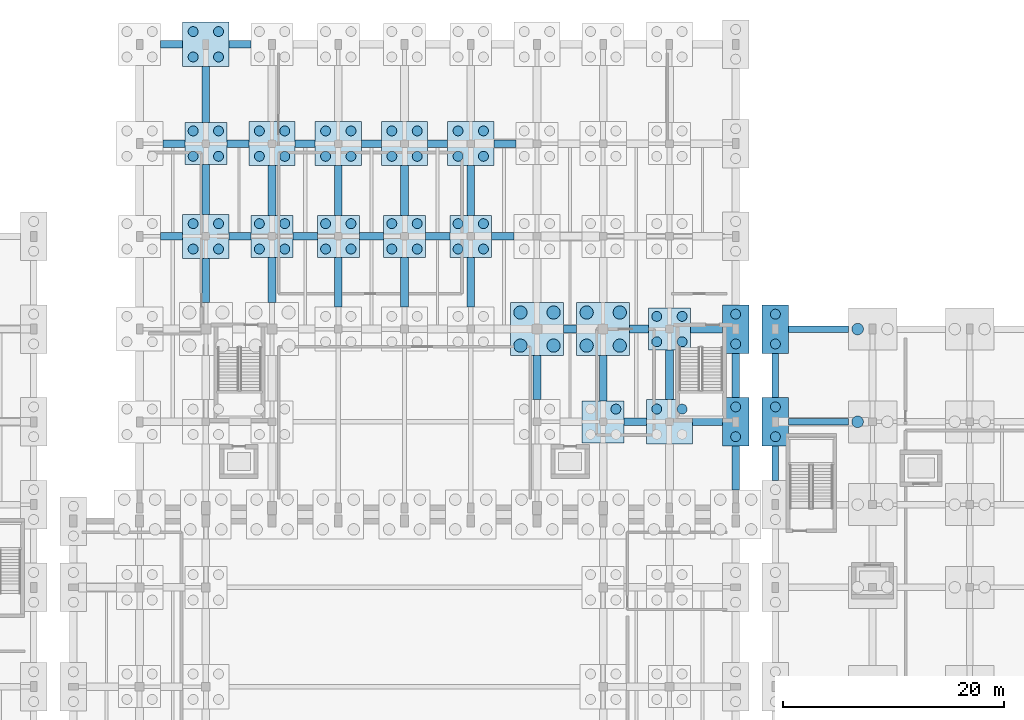
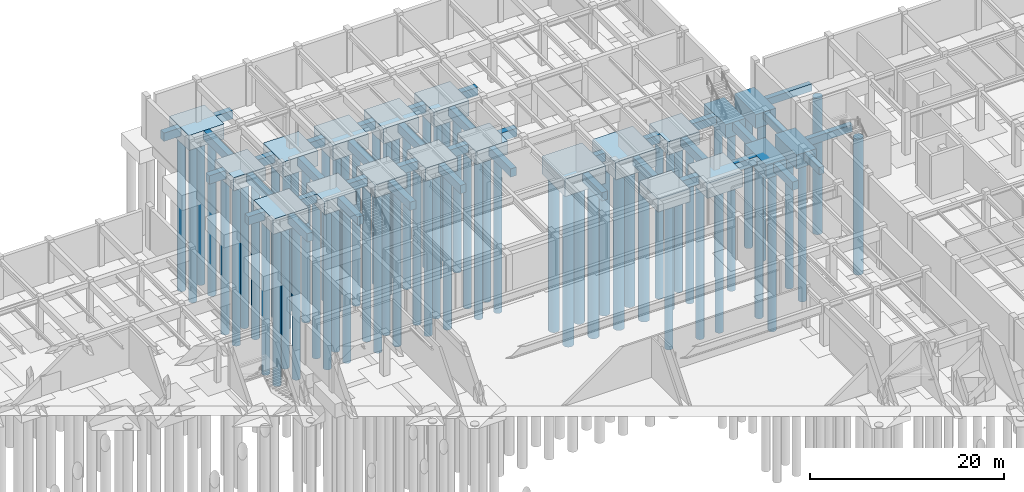
# One storey, part 8 of 69: 69 piles, 59 footings.
"""IFC4 building model written with IfcOpenShell, lengths in metres."""

from ifc_helpers import new_model, si_unit, direction, frame, origin, origin_2d, place, context, subcontext, project, spatial, rectangle, circle, extrude, material, material_profile, profile_set, type_object, element, save


model = new_model("IFC4")

# Units and contexts
model_context = context("Model", 3, precision=1e-05, world=origin(), true_north=direction((0.0, 1.0)))
body_context = subcontext(model_context, "Body", "Model", "MODEL_VIEW")
ifc_project = project(units=[si_unit("LENGTHUNIT", "METRE"), si_unit("AREAUNIT", "SQUARE_METRE"), si_unit("VOLUMEUNIT", "CUBIC_METRE"), si_unit("PLANEANGLEUNIT", "RADIAN"), si_unit("MASSUNIT", "GRAM", prefix="KILO")], contexts=[model_context])

# Site, building, storey
site_placement = place(None, origin())
site = spatial("IfcSite", under=ifc_project, at=site_placement, CompositionType="ELEMENT")
building_placement = place(site_placement, origin())
building = spatial("IfcBuilding", under=site, at=building_placement, Name="Vaelkrest Opera House", CompositionType="ELEMENT")
storey_placement = place(building_placement, frame((0.0, 0.0, -5.39990234375)))
storey = spatial("IfcBuildingStorey", under=building, at=storey_placement, Name="B1", CompositionType="ELEMENT", Elevation=-5.39990234375)

# Footings
ifc_material = material(Name="Concrete C40/50", Category="concrete")
footing_type_1 = type_object("IfcFootingType", Name="FB01", PredefinedType="FOOTING_BEAM", material=ifc_material)
for number, where, z_axis, x_axis, name in (
    (1, (37.5, 25.199951171875, -0.900146484375), (0.0, 0.0, 1.0), (1.0, 0.0, 0.0), "Footing tie beam FT-GB-0327"),
    (2, (37.5, 33.60009765625, -0.900146484375), (0.0, 0.0, 1.0), (1.0, 0.0, 0.0), "Footing tie beam FT-GB-0333"),
):
    element("IfcFooting", number, at=place(storey_placement, frame(where, z_axis=z_axis, x_axis=x_axis)), inside=storey, type_object=footing_type_1, Name=name, PredefinedType="FOOTING_BEAM", context=body_context, shape_type="SweptSolid", body=[
        extrude(rectangle(XDim=5.39990234375, YDim=0.60009765625, at=origin_2d()), origin(), (0.0, 0.0, 1.0), 0.89990234375),
    ])
footing_1_placement = place(storey_placement, frame((33.60009765625, 21.449951171875, -0.900146484375), z_axis=(0.0, 0.0, 1.0), x_axis=(0.0, 1.0, 0.0)))
element("IfcFooting", 3, at=footing_1_placement, inside=storey, type_object=footing_type_1, Name="Footing tie beam FT-GB-0345", PredefinedType="FOOTING_BEAM", context=body_context, shape_type="SweptSolid", body=[
    extrude(rectangle(XDim=3.10009765625, YDim=0.60009765625, at=origin_2d()), origin(), (0.0, 0.0, 1.0), 0.89990234375),
])
footing_2_placement = place(storey_placement, frame((33.60009765625, 29.39990234375, -0.900146484375), z_axis=(0.0, 0.0, 1.0), x_axis=(0.0, 1.0, 0.0)))
element("IfcFooting", 4, at=footing_2_placement, inside=storey, type_object=footing_type_1, Name="Footing tie beam FT-GB-0346", PredefinedType="FOOTING_BEAM", context=body_context, shape_type="SweptSolid", body=[
    extrude(rectangle(XDim=4.0, YDim=0.60009765625, at=origin_2d()), origin(), (0.0, 0.0, 1.0), 0.89990234375),
])
footing_type_2 = type_object("IfcFootingType", Name="FB02", PredefinedType="FOOTING_BEAM", material=ifc_material)
footing_3_placement = place(storey_placement, frame((20.89990234375, 25.199951171875, -1.05029296875), z_axis=(0.0, 0.0, 1.0), x_axis=(1.0, 0.0, 0.0)))
element("IfcFooting", 5, at=footing_3_placement, inside=storey, type_object=footing_type_2, Name="Footing tie beam FT-GB-0107", PredefinedType="FOOTING_BEAM", context=body_context, shape_type="SweptSolid", body=[
    extrude(rectangle(XDim=2.0, YDim=0.699951171875, at=origin_2d()), origin(), (0.0, 0.0, 1.0), 1.050048828125),
])
footing_4_placement = place(storey_placement, frame((27.449951171875, 25.199951171875, -1.05029296875), z_axis=(0.0, 0.0, 1.0), x_axis=(1.0, 0.0, 0.0)))
element("IfcFooting", 6, at=footing_4_placement, inside=storey, type_object=footing_type_2, Name="Footing tie beam FT-GB-0108", PredefinedType="FOOTING_BEAM", context=body_context, shape_type="SweptSolid", body=[
    extrude(rectangle(XDim=2.699951171875, YDim=0.699951171875, at=origin_2d()), origin(), (0.0, 0.0, 1.0), 1.050048828125),
])
footing_5_placement = place(storey_placement, frame((15.0, 33.60009765625, -1.05029296875), z_axis=(0.0, 0.0, 1.0), x_axis=(1.0, 0.0, 0.0)))
element("IfcFooting", 7, at=footing_5_placement, inside=storey, type_object=footing_type_2, Name="Footing tie beam FT-GB-0115", PredefinedType="FOOTING_BEAM", context=body_context, shape_type="SweptSolid", body=[
    extrude(rectangle(XDim=1.199951171875, YDim=0.699951171875, at=origin_2d()), origin(), (0.0, 0.0, 1.0), 1.050048828125),
])
footing_6_placement = place(storey_placement, frame((21.25, 33.60009765625, -1.05029296875), z_axis=(0.0, 0.0, 1.0), x_axis=(1.0, 0.0, 0.0)))
element("IfcFooting", 8, at=footing_6_placement, inside=storey, type_object=footing_type_2, Name="Footing tie beam FT-GB-0116", PredefinedType="FOOTING_BEAM", context=body_context, shape_type="SweptSolid", body=[
    extrude(rectangle(XDim=1.699951171875, YDim=0.699951171875, at=origin_2d()), origin(), (0.0, 0.0, 1.0), 1.050048828125),
])
footing_7_placement = place(storey_placement, frame((27.35009765625, 33.60009765625, -1.05029296875), z_axis=(0.0, 0.0, 1.0), x_axis=(1.0, 0.0, 0.0)))
element("IfcFooting", 9, at=footing_7_placement, inside=storey, type_object=footing_type_2, Name="Footing tie beam FT-GB-0117", PredefinedType="FOOTING_BEAM", context=body_context, shape_type="SweptSolid", body=[
    extrude(rectangle(XDim=2.89990234375, YDim=0.699951171875, at=origin_2d()), origin(), (0.0, 0.0, 1.0), 1.050048828125),
])
for number, where, z_axis, x_axis, name in (
    (10, (-21.10009765625, 42.0, -1.05029296875), (0.0, 0.0, 1.0), (1.0, 0.0, 0.0), "Footing tie beam FT-GB-0118"),
    (11, (-14.89990234375, 42.0, -1.05029296875), (0.0, 0.0, 1.0), (1.0, 0.0, 0.0), "Footing tie beam FT-GB-0119"),
):
    element("IfcFooting", number, at=place(storey_placement, frame(where, z_axis=z_axis, x_axis=x_axis)), inside=storey, type_object=footing_type_2, Name=name, PredefinedType="FOOTING_BEAM", context=body_context, shape_type="SweptSolid", body=[
        extrude(rectangle(XDim=2.0, YDim=0.699951171875, at=origin_2d()), origin(), (0.0, 0.0, 1.0), 1.050048828125),
    ])
for number, where, z_axis, x_axis, name in (
    (12, (-9.0, 42.0, -1.05029296875), (0.0, 0.0, 1.0), (1.0, 0.0, 0.0), "Footing tie beam FT-GB-0120"),
    (13, (-3.0, 42.0, -1.05029296875), (0.0, 0.0, 1.0), (1.0, 0.0, 0.0), "Footing tie beam FT-GB-0121"),
    (14, (3.0, 42.0, -1.05029296875), (0.0, 0.0, 1.0), (1.0, 0.0, 0.0), "Footing tie beam FT-GB-0122"),
):
    element("IfcFooting", number, at=place(storey_placement, frame(where, z_axis=z_axis, x_axis=x_axis)), inside=storey, type_object=footing_type_2, Name=name, PredefinedType="FOOTING_BEAM", context=body_context, shape_type="SweptSolid", body=[
        extrude(rectangle(XDim=2.199951171875, YDim=0.699951171875, at=origin_2d()), origin(), (0.0, 0.0, 1.0), 1.050048828125),
    ])
for number, where, z_axis, x_axis, name in (
    (15, (8.89990234375, 42.0, -1.05029296875), (0.0, 0.0, 1.0), (1.0, 0.0, 0.0), "Footing tie beam FT-GB-0123"),
    (16, (-20.89990234375, 50.39990234375, -1.05029296875), (0.0, 0.0, 1.0), (1.0, 0.0, 0.0), "Footing tie beam FT-GB-0127"),
    (17, (-15.10009765625, 50.39990234375, -1.05029296875), (0.0, 0.0, 1.0), (1.0, 0.0, 0.0), "Footing tie beam FT-GB-0128"),
):
    element("IfcFooting", number, at=place(storey_placement, frame(where, z_axis=z_axis, x_axis=x_axis)), inside=storey, type_object=footing_type_2, Name=name, PredefinedType="FOOTING_BEAM", context=body_context, shape_type="SweptSolid", body=[
        extrude(rectangle(XDim=2.0, YDim=0.699951171875, at=origin_2d()), origin(), (0.0, 0.0, 1.0), 1.050048828125),
    ])
for number, where, z_axis, x_axis, name in (
    (18, (-9.0, 50.39990234375, -1.05029296875), (0.0, 0.0, 1.0), (1.0, 0.0, 0.0), "Footing tie beam FT-GB-0129"),
    (19, (-3.0, 50.39990234375, -1.05029296875), (0.0, 0.0, 1.0), (1.0, 0.0, 0.0), "Footing tie beam FT-GB-0130"),
    (20, (3.0, 50.39990234375, -1.05029296875), (0.0, 0.0, 1.0), (1.0, 0.0, 0.0), "Footing tie beam FT-GB-0131"),
):
    element("IfcFooting", number, at=place(storey_placement, frame(where, z_axis=z_axis, x_axis=x_axis)), inside=storey, type_object=footing_type_2, Name=name, PredefinedType="FOOTING_BEAM", context=body_context, shape_type="SweptSolid", body=[
        extrude(rectangle(XDim=1.800048828125, YDim=0.699951171875, at=origin_2d()), origin(), (0.0, 0.0, 1.0), 1.050048828125),
    ])
for number, where, z_axis, x_axis, name in (
    (21, (9.10009765625, 50.39990234375, -1.05029296875), (0.0, 0.0, 1.0), (1.0, 0.0, 0.0), "Footing tie beam FT-GB-0132"),
    (22, (-21.10009765625, 59.39990234375, -1.05029296875), (0.0, 0.0, 1.0), (1.0, 0.0, 0.0), "Footing tie beam FT-GB-0136"),
    (23, (-14.89990234375, 59.39990234375, -1.05029296875), (0.0, 0.0, 1.0), (1.0, 0.0, 0.0), "Footing tie beam FT-GB-0137"),
):
    element("IfcFooting", number, at=place(storey_placement, frame(where, z_axis=z_axis, x_axis=x_axis)), inside=storey, type_object=footing_type_2, Name=name, PredefinedType="FOOTING_BEAM", context=body_context, shape_type="SweptSolid", body=[
        extrude(rectangle(XDim=2.0, YDim=0.699951171875, at=origin_2d()), origin(), (0.0, 0.0, 1.0), 1.050048828125),
    ])
footing_8_placement = place(storey_placement, frame((-18.0, 38.0, -1.05029296875), z_axis=(0.0, 0.0, 1.0), x_axis=(0.0, 1.0, 0.0)))
element("IfcFooting", 24, at=footing_8_placement, inside=storey, type_object=footing_type_2, Name="Footing tie beam FT-GB-0152", PredefinedType="FOOTING_BEAM", context=body_context, shape_type="SweptSolid", body=[
    extrude(rectangle(XDim=4.0, YDim=0.699951171875, at=origin_2d()), origin(), (0.0, 0.0, 1.0), 1.050048828125),
])
footing_9_placement = place(storey_placement, frame((-18.0, 46.25, -1.05029296875), z_axis=(0.0, 0.0, 1.0), x_axis=(0.0, 1.0, 0.0)))
element("IfcFooting", 25, at=footing_9_placement, inside=storey, type_object=footing_type_2, Name="Footing tie beam FT-GB-0153", PredefinedType="FOOTING_BEAM", context=body_context, shape_type="SweptSolid", body=[
    extrude(rectangle(XDim=4.5, YDim=0.699951171875, at=origin_2d()), origin(), (0.0, 0.0, 1.0), 1.050048828125),
])
footing_10_placement = place(storey_placement, frame((-18.0, 54.85009765625, -1.05029296875), z_axis=(0.0, 0.0, 1.0), x_axis=(0.0, 1.0, 0.0)))
element("IfcFooting", 26, at=footing_10_placement, inside=storey, type_object=footing_type_2, Name="Footing tie beam FT-GB-0154", PredefinedType="FOOTING_BEAM", context=body_context, shape_type="SweptSolid", body=[
    extrude(rectangle(XDim=5.10009765625, YDim=0.699951171875, at=origin_2d()), origin(), (0.0, 0.0, 1.0), 1.050048828125),
])
footing_11_placement = place(storey_placement, frame((-12.0, 38.050048828125, -1.05029296875), z_axis=(0.0, 0.0, 1.0), x_axis=(0.0, 1.0, 0.0)))
element("IfcFooting", 27, at=footing_11_placement, inside=storey, type_object=footing_type_2, Name="Footing tie beam FT-GB-0157", PredefinedType="FOOTING_BEAM", context=body_context, shape_type="SweptSolid", body=[
    extrude(rectangle(XDim=4.10009765625, YDim=0.699951171875, at=origin_2d()), origin(), (0.0, 0.0, 1.0), 1.050048828125),
])
for number, where, z_axis, x_axis, name in (
    (28, (-12.0, 46.14990234375, -1.05029296875), (0.0, 0.0, 1.0), (0.0, 1.0, 0.0), "Footing tie beam FT-GB-0158"),
    (29, (-6.0, 37.85009765625, -1.05029296875), (0.0, 0.0, 1.0), (0.0, 1.0, 0.0), "Footing tie beam FT-GB-0160"),
    (30, (-6.0, 46.14990234375, -1.05029296875), (0.0, 0.0, 1.0), (0.0, 1.0, 0.0), "Footing tie beam FT-GB-0161"),
    (31, (0.0, 37.85009765625, -1.05029296875), (0.0, 0.0, 1.0), (0.0, 1.0, 0.0), "Footing tie beam FT-GB-0163"),
    (32, (0.0, 46.14990234375, -1.05029296875), (0.0, 0.0, 1.0), (0.0, 1.0, 0.0), "Footing tie beam FT-GB-0164"),
    (33, (6.0, 37.85009765625, -1.05029296875), (0.0, 0.0, 1.0), (0.0, 1.0, 0.0), "Footing tie beam FT-GB-0166"),
    (34, (6.0, 46.14990234375, -1.05029296875), (0.0, 0.0, 1.0), (0.0, 1.0, 0.0), "Footing tie beam FT-GB-0167"),
):
    element("IfcFooting", number, at=place(storey_placement, frame(where, z_axis=z_axis, x_axis=x_axis)), inside=storey, type_object=footing_type_2, Name=name, PredefinedType="FOOTING_BEAM", context=body_context, shape_type="SweptSolid", body=[
        extrude(rectangle(XDim=4.5, YDim=0.699951171875, at=origin_2d()), origin(), (0.0, 0.0, 1.0), 1.050048828125),
    ])
footing_12_placement = place(storey_placement, frame((12.0, 29.199951171875, -1.05029296875), z_axis=(0.0, 0.0, 1.0), x_axis=(0.0, 1.0, 0.0)))
element("IfcFooting", 35, at=footing_12_placement, inside=storey, type_object=footing_type_2, Name="Footing tie beam FT-GB-0170", PredefinedType="FOOTING_BEAM", context=body_context, shape_type="SweptSolid", body=[
    extrude(rectangle(XDim=4.0, YDim=0.699951171875, at=origin_2d()), origin(), (0.0, 0.0, 1.0), 1.050048828125),
])
footing_13_placement = place(storey_placement, frame((18.0, 29.14990234375, -1.05029296875), z_axis=(0.0, 0.0, 1.0), x_axis=(0.0, 1.0, 0.0)))
element("IfcFooting", 36, at=footing_13_placement, inside=storey, type_object=footing_type_2, Name="Footing tie beam FT-GB-0175", PredefinedType="FOOTING_BEAM", context=body_context, shape_type="SweptSolid", body=[
    extrude(rectangle(XDim=4.10009765625, YDim=0.699951171875, at=origin_2d()), origin(), (0.0, 0.0, 1.0), 1.050048828125),
])
footing_14_placement = place(storey_placement, frame((24.0, 29.449951171875, -1.05029296875), z_axis=(0.0, 0.0, 1.0), x_axis=(0.0, 1.0, 0.0)))
element("IfcFooting", 37, at=footing_14_placement, inside=storey, type_object=footing_type_2, Name="Footing tie beam FT-GB-0180", PredefinedType="FOOTING_BEAM", context=body_context, shape_type="SweptSolid", body=[
    extrude(rectangle(XDim=4.5, YDim=0.699951171875, at=origin_2d()), origin(), (0.0, 0.0, 1.0), 1.050048828125),
])
for number, where, z_axis, x_axis, name in (
    (38, (30.0, 21.0, -1.05029296875), (0.0, 0.0, 1.0), (0.0, 1.0, 0.0), "Footing tie beam FT-GB-0184"),
    (39, (30.0, 29.39990234375, -1.05029296875), (0.0, 0.0, 1.0), (0.0, 1.0, 0.0), "Footing tie beam FT-GB-0185"),
):
    element("IfcFooting", number, at=place(storey_placement, frame(where, z_axis=z_axis, x_axis=x_axis)), inside=storey, type_object=footing_type_2, Name=name, PredefinedType="FOOTING_BEAM", context=body_context, shape_type="SweptSolid", body=[
        extrude(rectangle(XDim=4.0, YDim=0.699951171875, at=origin_2d()), origin(), (0.0, 0.0, 1.0), 1.050048828125),
    ])
footing_type_3 = type_object("IfcFootingType", Name="PC02", PredefinedType="PILE_CAP", material=ifc_material)
for number, where, z_axis, x_axis, name in (
    (40, (-18.0, 50.39990234375, -1.650146484375), (0.0, 0.0, 1.0), (1.0, 0.0, 0.0), "Pile cap FT-CAP-078"),
    (41, (-12.0, 42.0, -1.650146484375), (0.0, 0.0, 1.0), (1.0, 0.0, 0.0), "Pile cap FT-CAP-082"),
    (42, (-6.0, 42.0, -1.650146484375), (0.0, 0.0, 1.0), (1.0, 0.0, 0.0), "Pile cap FT-CAP-086"),
    (43, (0.0, 42.0, -1.650146484375), (0.0, 0.0, 1.0), (1.0, 0.0, 0.0), "Pile cap FT-CAP-090"),
    (44, (6.0, 42.0, -1.650146484375), (0.0, 0.0, 1.0), (1.0, 0.0, 0.0), "Pile cap FT-CAP-094"),
    (45, (18.0, 25.199951171875, -1.650146484375), (0.0, 0.0, 1.0), (1.0, 0.0, 0.0), "Pile cap FT-CAP-102"),
    (46, (24.0, 33.60009765625, -1.650146484375), (0.0, 0.0, 1.0), (1.0, 0.0, 0.0), "Pile cap FT-CAP-108"),
):
    element("IfcFooting", number, at=place(storey_placement, frame(where, z_axis=z_axis, x_axis=x_axis)), inside=storey, type_object=footing_type_3, Name=name, PredefinedType="PILE_CAP", context=body_context, shape_type="SweptSolid", body=[
        extrude(rectangle(XDim=3.800048828125, YDim=3.800048828125, at=origin_2d()), origin(), (0.0, 0.0, 1.0), 1.64990234375),
    ])
footing_type_4 = type_object("IfcFootingType", Name="PC04", PredefinedType="PILE_CAP", material=ifc_material)
for number, where, z_axis, x_axis, name in (
    (47, (-18.0, 42.0, -1.900146484375), (0.0, 0.0, 1.0), (1.0, 0.0, 0.0), "Pile cap FT-CAP-077"),
    (48, (-18.0, 59.39990234375, -1.900146484375), (0.0, 0.0, 1.0), (1.0, 0.0, 0.0), "Pile cap FT-CAP-079"),
    (49, (-12.0, 50.39990234375, -1.900146484375), (0.0, 0.0, 1.0), (1.0, 0.0, 0.0), "Pile cap FT-CAP-083"),
    (50, (-6.0, 50.39990234375, -1.900146484375), (0.0, 0.0, 1.0), (1.0, 0.0, 0.0), "Pile cap FT-CAP-087"),
    (51, (0.0, 50.39990234375, -1.900146484375), (0.0, 0.0, 1.0), (1.0, 0.0, 0.0), "Pile cap FT-CAP-091"),
    (52, (6.0, 50.39990234375, -1.900146484375), (0.0, 0.0, 1.0), (1.0, 0.0, 0.0), "Pile cap FT-CAP-095"),
    (53, (24.0, 25.199951171875, -1.900146484375), (0.0, 0.0, 1.0), (1.0, 0.0, 0.0), "Pile cap FT-CAP-107"),
):
    element("IfcFooting", number, at=place(storey_placement, frame(where, z_axis=z_axis, x_axis=x_axis)), inside=storey, type_object=footing_type_4, Name=name, PredefinedType="PILE_CAP", context=body_context, shape_type="SweptSolid", body=[
        extrude(rectangle(XDim=4.199951171875, YDim=4.0, at=origin_2d()), origin(), (0.0, 0.0, 1.0), 1.89990234375),
    ])
footing_type_5 = type_object("IfcFootingType", Name="PC06", PredefinedType="PILE_CAP", material=ifc_material)
for number, where, z_axis, x_axis, name in (
    (54, (12.0, 33.60009765625, -2.2001953125), (0.0, 0.0, 1.0), (1.0, 0.0, 0.0), "Pile cap FT-CAP-098"),
    (55, (18.0, 33.60009765625, -2.2001953125), (0.0, 0.0, 1.0), (1.0, 0.0, 0.0), "Pile cap FT-CAP-103"),
):
    element("IfcFooting", number, at=place(storey_placement, frame(where, z_axis=z_axis, x_axis=x_axis)), inside=storey, type_object=footing_type_5, Name=name, PredefinedType="PILE_CAP", context=body_context, shape_type="SweptSolid", body=[
        extrude(rectangle(XDim=4.800048828125, YDim=4.800048828125, at=origin_2d()), origin(), (0.0, 0.0, 1.0), 2.199951171875),
    ])
footing_type_6 = type_object("IfcFootingType", Name="PC08", PredefinedType="PILE_CAP", material=ifc_material)
for number, where, z_axis, x_axis, name in (
    (56, (30.0, 25.199951171875, -1.75), (0.0, 0.0, 1.0), (1.0, 0.0, 0.0), "Pile cap FT-CAP-112"),
    (57, (30.0, 33.60009765625, -1.75), (0.0, 0.0, 1.0), (1.0, 0.0, 0.0), "Pile cap FT-CAP-113"),
    (58, (33.60009765625, 25.199951171875, -1.75), (0.0, 0.0, 1.0), (1.0, 0.0, 0.0), "Pile cap FT-CAP-184"),
    (59, (33.60009765625, 33.60009765625, -1.75), (0.0, 0.0, 1.0), (1.0, 0.0, 0.0), "Pile cap FT-CAP-185"),
):
    element("IfcFooting", number, at=place(storey_placement, frame(where, z_axis=z_axis, x_axis=x_axis)), inside=storey, type_object=footing_type_6, Name=name, PredefinedType="PILE_CAP", context=body_context, shape_type="SweptSolid", body=[
        extrude(rectangle(XDim=2.39990234375, YDim=4.39990234375, at=origin_2d()), origin(), (0.0, 0.0, 1.0), 1.75),
    ])

# Piles
ifc_material_profile_1 = material_profile(ifc_material, circle(Radius=0.449951171875, at=origin_2d()), Name="PILE900")
ifc_profile_set_1 = profile_set([ifc_material_profile_1], Name="Concrete C40/50")
pile_type_1 = type_object("IfcPileType", Name="PL01", PredefinedType="BORED", material=ifc_profile_set_1)
for number, where, z_axis, x_axis, name in (
    (60, (-19.14990234375, 40.85009765625, -1.800048828125), (0.0, 0.0, -1.0), (1.0, 0.0, 0.0), "Bored pile PL-0271"),
    (61, (-16.85009765625, 40.85009765625, -1.800048828125), (0.0, 0.0, -1.0), (1.0, 0.0, 0.0), "Bored pile PL-0272"),
    (62, (-19.14990234375, 43.14990234375, -1.800048828125), (0.0, 0.0, -1.0), (1.0, 0.0, 0.0), "Bored pile PL-0273"),
    (63, (-16.85009765625, 43.14990234375, -1.800048828125), (0.0, 0.0, -1.0), (1.0, 0.0, 0.0), "Bored pile PL-0274"),
):
    element("IfcPile", number, at=place(storey_placement, frame(where, z_axis=z_axis, x_axis=x_axis)), inside=storey, type_object=pile_type_1, Name=name, PredefinedType="BORED", context=body_context, shape_type="SweptSolid", body=[
        extrude(circle(Radius=0.449951171875, at=origin_2d()), origin(), (0.0, 0.0, 1.0), 19.800048828125),
    ])
for number, where, z_axis, x_axis, name in (
    (64, (-19.14990234375, 49.25, -1.550048828125), (0.0, 0.0, -1.0), (1.0, 0.0, 0.0), "Bored pile PL-0275"),
    (65, (-16.85009765625, 49.25, -1.550048828125), (0.0, 0.0, -1.0), (1.0, 0.0, 0.0), "Bored pile PL-0276"),
    (66, (-19.14990234375, 51.550048828125, -1.550048828125), (0.0, 0.0, -1.0), (1.0, 0.0, 0.0), "Bored pile PL-0277"),
    (67, (-16.85009765625, 51.550048828125, -1.550048828125), (0.0, 0.0, -1.0), (1.0, 0.0, 0.0), "Bored pile PL-0278"),
):
    element("IfcPile", number, at=place(storey_placement, frame(where, z_axis=z_axis, x_axis=x_axis)), inside=storey, type_object=pile_type_1, Name=name, PredefinedType="BORED", context=body_context, shape_type="SweptSolid", body=[
        extrude(circle(Radius=0.449951171875, at=origin_2d()), origin(), (0.0, 0.0, 1.0), 20.050048828125),
    ])
for number, where, z_axis, x_axis, name in (
    (68, (-19.14990234375, 58.25, -1.800048828125), (0.0, 0.0, -1.0), (1.0, 0.0, 0.0), "Bored pile PL-0279"),
    (69, (-16.85009765625, 58.25, -1.800048828125), (0.0, 0.0, -1.0), (1.0, 0.0, 0.0), "Bored pile PL-0280"),
    (70, (-19.14990234375, 60.550048828125, -1.800048828125), (0.0, 0.0, -1.0), (1.0, 0.0, 0.0), "Bored pile PL-0281"),
    (71, (-16.85009765625, 60.550048828125, -1.800048828125), (0.0, 0.0, -1.0), (1.0, 0.0, 0.0), "Bored pile PL-0282"),
):
    element("IfcPile", number, at=place(storey_placement, frame(where, z_axis=z_axis, x_axis=x_axis)), inside=storey, type_object=pile_type_1, Name=name, PredefinedType="BORED", context=body_context, shape_type="SweptSolid", body=[
        extrude(circle(Radius=0.449951171875, at=origin_2d()), origin(), (0.0, 0.0, 1.0), 19.800048828125),
    ])
for number, where, z_axis, x_axis, name in (
    (72, (-13.14990234375, 40.85009765625, -1.550048828125), (0.0, 0.0, -1.0), (1.0, 0.0, 0.0), "Bored pile PL-0291"),
    (73, (-10.85009765625, 40.85009765625, -1.550048828125), (0.0, 0.0, -1.0), (1.0, 0.0, 0.0), "Bored pile PL-0292"),
    (74, (-13.14990234375, 43.14990234375, -1.550048828125), (0.0, 0.0, -1.0), (1.0, 0.0, 0.0), "Bored pile PL-0293"),
    (75, (-10.85009765625, 43.14990234375, -1.550048828125), (0.0, 0.0, -1.0), (1.0, 0.0, 0.0), "Bored pile PL-0294"),
):
    element("IfcPile", number, at=place(storey_placement, frame(where, z_axis=z_axis, x_axis=x_axis)), inside=storey, type_object=pile_type_1, Name=name, PredefinedType="BORED", context=body_context, shape_type="SweptSolid", body=[
        extrude(circle(Radius=0.449951171875, at=origin_2d()), origin(), (0.0, 0.0, 1.0), 20.050048828125),
    ])
for number, where, z_axis, x_axis, name in (
    (76, (-13.14990234375, 49.25, -1.800048828125), (0.0, 0.0, -1.0), (1.0, 0.0, 0.0), "Bored pile PL-0295"),
    (77, (-10.85009765625, 49.25, -1.800048828125), (0.0, 0.0, -1.0), (1.0, 0.0, 0.0), "Bored pile PL-0296"),
    (78, (-13.14990234375, 51.550048828125, -1.800048828125), (0.0, 0.0, -1.0), (1.0, 0.0, 0.0), "Bored pile PL-0297"),
    (79, (-10.85009765625, 51.550048828125, -1.800048828125), (0.0, 0.0, -1.0), (1.0, 0.0, 0.0), "Bored pile PL-0298"),
):
    element("IfcPile", number, at=place(storey_placement, frame(where, z_axis=z_axis, x_axis=x_axis)), inside=storey, type_object=pile_type_1, Name=name, PredefinedType="BORED", context=body_context, shape_type="SweptSolid", body=[
        extrude(circle(Radius=0.449951171875, at=origin_2d()), origin(), (0.0, 0.0, 1.0), 19.800048828125),
    ])
for number, where, z_axis, x_axis, name in (
    (80, (-7.14990234375, 40.85009765625, -1.550048828125), (0.0, 0.0, -1.0), (1.0, 0.0, 0.0), "Bored pile PL-0307"),
    (81, (-4.85009765625, 40.85009765625, -1.550048828125), (0.0, 0.0, -1.0), (1.0, 0.0, 0.0), "Bored pile PL-0308"),
    (82, (-7.14990234375, 43.14990234375, -1.550048828125), (0.0, 0.0, -1.0), (1.0, 0.0, 0.0), "Bored pile PL-0309"),
    (83, (-4.85009765625, 43.14990234375, -1.550048828125), (0.0, 0.0, -1.0), (1.0, 0.0, 0.0), "Bored pile PL-0310"),
):
    element("IfcPile", number, at=place(storey_placement, frame(where, z_axis=z_axis, x_axis=x_axis)), inside=storey, type_object=pile_type_1, Name=name, PredefinedType="BORED", context=body_context, shape_type="SweptSolid", body=[
        extrude(circle(Radius=0.449951171875, at=origin_2d()), origin(), (0.0, 0.0, 1.0), 20.050048828125),
    ])
for number, where, z_axis, x_axis, name in (
    (84, (-7.14990234375, 49.25, -1.800048828125), (0.0, 0.0, -1.0), (1.0, 0.0, 0.0), "Bored pile PL-0311"),
    (85, (-4.85009765625, 49.25, -1.800048828125), (0.0, 0.0, -1.0), (1.0, 0.0, 0.0), "Bored pile PL-0312"),
    (86, (-7.14990234375, 51.550048828125, -1.800048828125), (0.0, 0.0, -1.0), (1.0, 0.0, 0.0), "Bored pile PL-0313"),
    (87, (-4.85009765625, 51.550048828125, -1.800048828125), (0.0, 0.0, -1.0), (1.0, 0.0, 0.0), "Bored pile PL-0314"),
):
    element("IfcPile", number, at=place(storey_placement, frame(where, z_axis=z_axis, x_axis=x_axis)), inside=storey, type_object=pile_type_1, Name=name, PredefinedType="BORED", context=body_context, shape_type="SweptSolid", body=[
        extrude(circle(Radius=0.449951171875, at=origin_2d()), origin(), (0.0, 0.0, 1.0), 19.800048828125),
    ])
for number, where, z_axis, x_axis, name in (
    (88, (-1.14990234375, 40.85009765625, -1.550048828125), (0.0, 0.0, -1.0), (1.0, 0.0, 0.0), "Bored pile PL-0323"),
    (89, (1.14990234375, 40.85009765625, -1.550048828125), (0.0, 0.0, -1.0), (1.0, 0.0, 0.0), "Bored pile PL-0324"),
    (90, (-1.14990234375, 43.14990234375, -1.550048828125), (0.0, 0.0, -1.0), (1.0, 0.0, 0.0), "Bored pile PL-0325"),
    (91, (1.14990234375, 43.14990234375, -1.550048828125), (0.0, 0.0, -1.0), (1.0, 0.0, 0.0), "Bored pile PL-0326"),
):
    element("IfcPile", number, at=place(storey_placement, frame(where, z_axis=z_axis, x_axis=x_axis)), inside=storey, type_object=pile_type_1, Name=name, PredefinedType="BORED", context=body_context, shape_type="SweptSolid", body=[
        extrude(circle(Radius=0.449951171875, at=origin_2d()), origin(), (0.0, 0.0, 1.0), 20.050048828125),
    ])
for number, where, z_axis, x_axis, name in (
    (92, (-1.14990234375, 49.25, -1.800048828125), (0.0, 0.0, -1.0), (1.0, 0.0, 0.0), "Bored pile PL-0327"),
    (93, (1.14990234375, 49.25, -1.800048828125), (0.0, 0.0, -1.0), (1.0, 0.0, 0.0), "Bored pile PL-0328"),
    (94, (-1.14990234375, 51.550048828125, -1.800048828125), (0.0, 0.0, -1.0), (1.0, 0.0, 0.0), "Bored pile PL-0329"),
    (95, (1.14990234375, 51.550048828125, -1.800048828125), (0.0, 0.0, -1.0), (1.0, 0.0, 0.0), "Bored pile PL-0330"),
):
    element("IfcPile", number, at=place(storey_placement, frame(where, z_axis=z_axis, x_axis=x_axis)), inside=storey, type_object=pile_type_1, Name=name, PredefinedType="BORED", context=body_context, shape_type="SweptSolid", body=[
        extrude(circle(Radius=0.449951171875, at=origin_2d()), origin(), (0.0, 0.0, 1.0), 19.800048828125),
    ])
for number, where, z_axis, x_axis, name in (
    (96, (4.85009765625, 40.85009765625, -1.550048828125), (0.0, 0.0, -1.0), (1.0, 0.0, 0.0), "Bored pile PL-0339"),
    (97, (7.14990234375, 40.85009765625, -1.550048828125), (0.0, 0.0, -1.0), (1.0, 0.0, 0.0), "Bored pile PL-0340"),
    (98, (4.85009765625, 43.14990234375, -1.550048828125), (0.0, 0.0, -1.0), (1.0, 0.0, 0.0), "Bored pile PL-0341"),
    (99, (7.14990234375, 43.14990234375, -1.550048828125), (0.0, 0.0, -1.0), (1.0, 0.0, 0.0), "Bored pile PL-0342"),
):
    element("IfcPile", number, at=place(storey_placement, frame(where, z_axis=z_axis, x_axis=x_axis)), inside=storey, type_object=pile_type_1, Name=name, PredefinedType="BORED", context=body_context, shape_type="SweptSolid", body=[
        extrude(circle(Radius=0.449951171875, at=origin_2d()), origin(), (0.0, 0.0, 1.0), 20.050048828125),
    ])
for number, where, z_axis, x_axis, name in (
    (100, (4.85009765625, 49.25, -1.800048828125), (0.0, 0.0, -1.0), (1.0, 0.0, 0.0), "Bored pile PL-0343"),
    (101, (7.14990234375, 49.25, -1.800048828125), (0.0, 0.0, -1.0), (1.0, 0.0, 0.0), "Bored pile PL-0344"),
    (102, (4.85009765625, 51.550048828125, -1.800048828125), (0.0, 0.0, -1.0), (1.0, 0.0, 0.0), "Bored pile PL-0345"),
    (103, (7.14990234375, 51.550048828125, -1.800048828125), (0.0, 0.0, -1.0), (1.0, 0.0, 0.0), "Bored pile PL-0346"),
):
    element("IfcPile", number, at=place(storey_placement, frame(where, z_axis=z_axis, x_axis=x_axis)), inside=storey, type_object=pile_type_1, Name=name, PredefinedType="BORED", context=body_context, shape_type="SweptSolid", body=[
        extrude(circle(Radius=0.449951171875, at=origin_2d()), origin(), (0.0, 0.0, 1.0), 19.800048828125),
    ])
pile_placement = place(storey_placement, frame((19.14990234375, 26.35009765625, -1.550048828125), z_axis=(0.0, 0.0, -1.0), x_axis=(1.0, 0.0, 0.0)))
element("IfcPile", 104, at=pile_placement, inside=storey, type_object=pile_type_1, Name="Bored pile PL-0374", PredefinedType="BORED", context=body_context, shape_type="SweptSolid", body=[
    extrude(circle(Radius=0.449951171875, at=origin_2d()), origin(), (0.0, 0.0, 1.0), 20.050048828125),
])
for number, where, z_axis, x_axis, name in (
    (105, (22.85009765625, 26.35009765625, -1.800048828125), (0.0, 0.0, -1.0), (1.0, 0.0, 0.0), "Bored pile PL-0393"),
    (106, (25.14990234375, 26.35009765625, -1.800048828125), (0.0, 0.0, -1.0), (1.0, 0.0, 0.0), "Bored pile PL-0394"),
):
    element("IfcPile", number, at=place(storey_placement, frame(where, z_axis=z_axis, x_axis=x_axis)), inside=storey, type_object=pile_type_1, Name=name, PredefinedType="BORED", context=body_context, shape_type="SweptSolid", body=[
        extrude(circle(Radius=0.449951171875, at=origin_2d()), origin(), (0.0, 0.0, 1.0), 19.800048828125),
    ])
for number, where, z_axis, x_axis, name in (
    (107, (22.85009765625, 32.449951171875, -1.550048828125), (0.0, 0.0, -1.0), (1.0, 0.0, 0.0), "Bored pile PL-0395"),
    (108, (25.14990234375, 32.449951171875, -1.550048828125), (0.0, 0.0, -1.0), (1.0, 0.0, 0.0), "Bored pile PL-0396"),
    (109, (22.85009765625, 34.75, -1.550048828125), (0.0, 0.0, -1.0), (1.0, 0.0, 0.0), "Bored pile PL-0397"),
    (110, (25.14990234375, 34.75, -1.550048828125), (0.0, 0.0, -1.0), (1.0, 0.0, 0.0), "Bored pile PL-0398"),
):
    element("IfcPile", number, at=place(storey_placement, frame(where, z_axis=z_axis, x_axis=x_axis)), inside=storey, type_object=pile_type_1, Name=name, PredefinedType="BORED", context=body_context, shape_type="SweptSolid", body=[
        extrude(circle(Radius=0.449951171875, at=origin_2d()), origin(), (0.0, 0.0, 1.0), 20.050048828125),
    ])
for number, where, z_axis, x_axis, name in (
    (111, (30.0, 23.85009765625, -1.650146484375), (0.0, 0.0, -1.0), (1.0, 0.0, 0.0), "Bored pile PL-0411"),
    (112, (30.0, 26.550048828125, -1.650146484375), (0.0, 0.0, -1.0), (1.0, 0.0, 0.0), "Bored pile PL-0412"),
    (113, (30.0, 32.25, -1.650146484375), (0.0, 0.0, -1.0), (1.0, 0.0, 0.0), "Bored pile PL-0413"),
    (114, (30.0, 34.949951171875, -1.650146484375), (0.0, 0.0, -1.0), (1.0, 0.0, 0.0), "Bored pile PL-0414"),
):
    element("IfcPile", number, at=place(storey_placement, frame(where, z_axis=z_axis, x_axis=x_axis)), inside=storey, type_object=pile_type_1, Name=name, PredefinedType="BORED", context=body_context, shape_type="SweptSolid", body=[
        extrude(circle(Radius=0.449951171875, at=origin_2d()), origin(), (0.0, 0.0, 1.0), 19.949951171875),
    ])
for number, where, z_axis, x_axis, name in (
    (115, (33.60009765625, 23.85009765625, -1.650146484375), (0.0, 0.0, -1.0), (1.0, 0.0, 0.0), "Bored pile PL-0555"),
    (116, (33.60009765625, 26.550048828125, -1.650146484375), (0.0, 0.0, -1.0), (1.0, 0.0, 0.0), "Bored pile PL-0556"),
    (117, (33.60009765625, 32.25, -1.650146484375), (0.0, 0.0, -1.0), (1.0, 0.0, 0.0), "Bored pile PL-0557"),
    (118, (33.60009765625, 34.949951171875, -1.650146484375), (0.0, 0.0, -1.0), (1.0, 0.0, 0.0), "Bored pile PL-0558"),
):
    element("IfcPile", number, at=place(storey_placement, frame(where, z_axis=z_axis, x_axis=x_axis)), inside=storey, type_object=pile_type_1, Name=name, PredefinedType="BORED", context=body_context, shape_type="SweptSolid", body=[
        extrude(circle(Radius=0.449951171875, at=origin_2d()), origin(), (0.0, 0.0, 1.0), 17.449951171875),
    ])
ifc_material_profile_2 = material_profile(ifc_material, circle(Radius=0.52490234375, at=origin_2d()), Name="PILE1050")
ifc_profile_set_2 = profile_set([ifc_material_profile_2], Name="Concrete C40/50")
pile_type_2 = type_object("IfcPileType", Name="PL02", PredefinedType="BORED", material=ifc_profile_set_2)
for number, where, z_axis, x_axis, name in (
    (119, (41.050048828125, 25.199951171875, -1.9501953125), (0.0, 0.0, -1.0), (1.0, 0.0, 0.0), "Bored pile PL-0573"),
    (120, (41.050048828125, 33.60009765625, -1.9501953125), (0.0, 0.0, -1.0), (1.0, 0.0, 0.0), "Bored pile PL-0575"),
):
    element("IfcPile", number, at=place(storey_placement, frame(where, z_axis=z_axis, x_axis=x_axis)), inside=storey, type_object=pile_type_2, Name=name, PredefinedType="BORED", context=body_context, shape_type="SweptSolid", body=[
        extrude(circle(Radius=0.52490234375, at=origin_2d()), origin(), (0.0, 0.0, 1.0), 17.14990234375),
    ])
ifc_material_profile_3 = material_profile(ifc_material, circle(Radius=0.60009765625, at=origin_2d()), Name="PILE1200")
ifc_profile_set_3 = profile_set([ifc_material_profile_3], Name="Concrete C40/50")
pile_type_3 = type_object("IfcPileType", Name="PL03", PredefinedType="BORED", material=ifc_profile_set_3)
for number, where, z_axis, x_axis, name in (
    (121, (10.5, 32.10009765625, -2.10009765625), (0.0, 0.0, -1.0), (1.0, 0.0, 0.0), "Bored pile PL-0355"),
    (122, (13.5, 32.10009765625, -2.10009765625), (0.0, 0.0, -1.0), (1.0, 0.0, 0.0), "Bored pile PL-0356"),
    (123, (10.5, 35.10009765625, -2.10009765625), (0.0, 0.0, -1.0), (1.0, 0.0, 0.0), "Bored pile PL-0357"),
    (124, (13.5, 35.10009765625, -2.10009765625), (0.0, 0.0, -1.0), (1.0, 0.0, 0.0), "Bored pile PL-0358"),
    (125, (16.5, 32.10009765625, -2.10009765625), (0.0, 0.0, -1.0), (1.0, 0.0, 0.0), "Bored pile PL-0375"),
    (126, (19.5, 32.10009765625, -2.10009765625), (0.0, 0.0, -1.0), (1.0, 0.0, 0.0), "Bored pile PL-0376"),
    (127, (16.5, 35.10009765625, -2.10009765625), (0.0, 0.0, -1.0), (1.0, 0.0, 0.0), "Bored pile PL-0377"),
    (128, (19.5, 35.10009765625, -2.10009765625), (0.0, 0.0, -1.0), (1.0, 0.0, 0.0), "Bored pile PL-0378"),
):
    element("IfcPile", number, at=place(storey_placement, frame(where, z_axis=z_axis, x_axis=x_axis)), inside=storey, type_object=pile_type_3, Name=name, PredefinedType="BORED", context=body_context, shape_type="SweptSolid", body=[
        extrude(circle(Radius=0.60009765625, at=origin_2d()), origin(), (0.0, 0.0, 1.0), 19.5),
    ])

save(model, "model.ifc")
